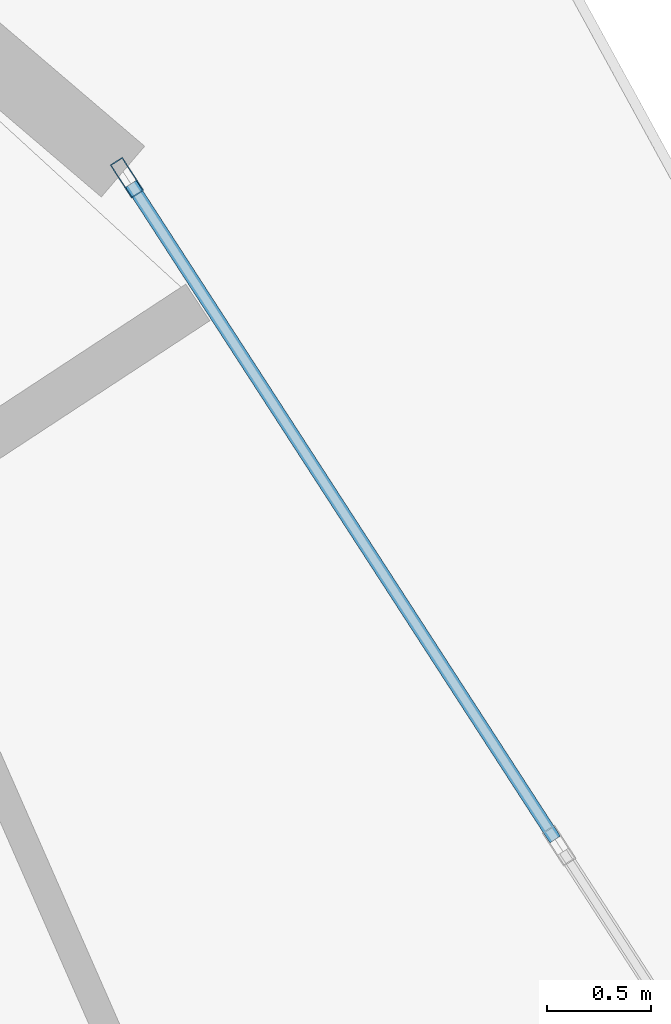
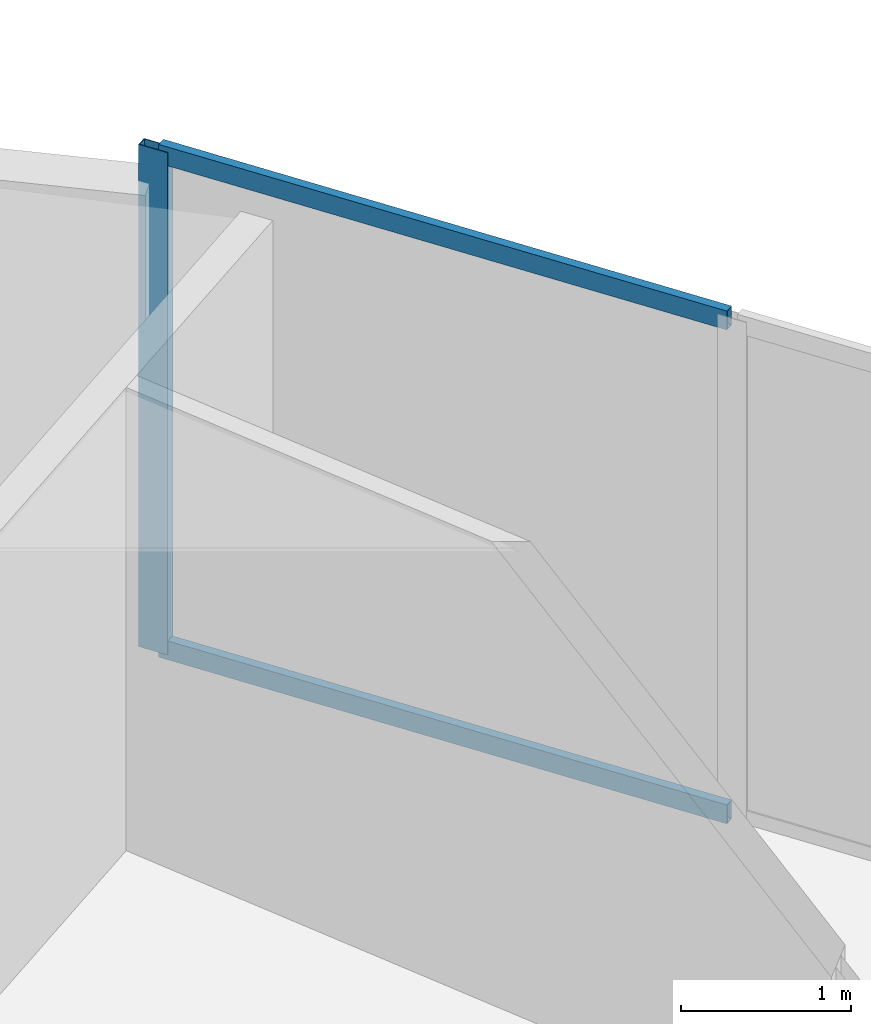
# One storey, part 19 of 26: 3 members, 1 element without a shape of its own.
"""IFC4 building model written with IfcOpenShell, lengths in metres."""

from ifc_helpers import new_model, si_unit, direction, frame, origin, origin_2d, place, context, subcontext, project, spatial, hollow_rectangle, extrude, source, transform, mapped, material, layer, layer_set, material_profile, profile_set, type_object, element, aggregate, save


model = new_model("IFC4")

# Units and contexts
model_context = context("Model", 3, precision=1e-05, world=origin(), true_north=direction((0.0, 1.0)))
body_context = subcontext(model_context, "Body", "Model", "MODEL_VIEW")
ifc_project = project(units=[si_unit("LENGTHUNIT", "METRE"), si_unit("AREAUNIT", "SQUARE_METRE"), si_unit("VOLUMEUNIT", "CUBIC_METRE"), si_unit("PLANEANGLEUNIT", "RADIAN"), si_unit("MASSUNIT", "GRAM", prefix="KILO")], contexts=[model_context])

# Site, building, storey
site_placement = place(None, origin())
site = spatial("IfcSite", under=ifc_project, at=site_placement, CompositionType="ELEMENT")
building_placement = place(site_placement, origin())
building = spatial("IfcBuilding", under=site, at=building_placement, Name="Solvirekh Grand Hotel", CompositionType="ELEMENT")
storey_placement = place(building_placement, frame((0.0, 0.0, 68.0)))
storey = spatial("IfcBuildingStorey", under=building, at=storey_placement, Name="L16", CompositionType="ELEMENT", Elevation=68.0)

# Curtain wall, members
ifc_material = material(Name="Anodized Bronze Aluminium 6063-T6", Category="aluminium")
ifc_layer = layer(ifc_material, 0.18994140625)
ifc_layer_set = layer_set([ifc_layer], Name="Anodized Bronze Aluminium 6063-T6")
curtain_wall_type = type_object("IfcCurtainWallType", Name="CW_Sys2_LowZoneFlushBronzeCW", PredefinedType="NOTDEFINED", material=ifc_layer_set)
curtain_wall_placement = place(storey_placement, origin())
curtain_wall = element("IfcCurtainWall", 1, at=curtain_wall_placement, inside=storey, type_object=curtain_wall_type, Name="L16 unitised bronze-glass curtain wall CW-L16-C03", PredefinedType="NOTDEFINED")
ifc_material_profile_1 = material_profile(ifc_material, hollow_rectangle(XDim=0.070068359375, YDim=0.18994140625, WallThickness=0.0048828125, at=origin_2d()), Name="ALU RHS 190X70X5")
ifc_profile_set_1 = profile_set([ifc_material_profile_1], Name="Anodized Bronze Aluminium 6063-T6")
member_type_1 = type_object("IfcMemberType", Name="CWMullion_Sys2", PredefinedType="MULLION", material=ifc_profile_set_1)
shared_shape_1 = source(origin(), body_context, "Body", "SweptSolid", [
    extrude(hollow_rectangle(XDim=0.070068359375, YDim=0.18994140625, WallThickness=0.0048828125, at=origin_2d()), origin(), (0.0, 0.0, 1.0), 3.60009765625),
])
member_1_placement = place(storey_placement, frame((19.446044921875, 12.022705078125, 0.0), z_axis=(0.0, 0.0, 1.0), x_axis=(-0.839559711127, -0.543267421675, 0.0)))
member_1 = element("IfcMember", 2, at=member_1_placement, type_object=member_type_1, Name="U02 mullion 3", PredefinedType="MULLION", context=body_context, shape_type="MappedRepresentation", body=[
    mapped(shared_shape_1, transform((0.0, 0.0, 0.0), x_axis=(1.0, 0.0, 0.0), y_axis=(0.0, 1.0, 0.0), z_axis=(0.0, 0.0, 1.0), scale=1.0)),
])
ifc_material_profile_2 = material_profile(ifc_material, hollow_rectangle(XDim=0.06005859375, YDim=0.135009765625, WallThickness=0.00390625, at=origin_2d()), Name="ALU RHS 135X60X4")
ifc_profile_set_2 = profile_set([ifc_material_profile_2], Name="Anodized Bronze Aluminium 6063-T6")
member_type_2 = type_object("IfcMemberType", Name="CWTransom_Sys2", PredefinedType="USERDEFINED", material=ifc_profile_set_2)
shared_shape_2 = source(origin(), body_context, "Body", "SweptSolid", [
    extrude(hollow_rectangle(XDim=0.06005859375, YDim=0.135009765625, WallThickness=0.00390625, at=origin_2d()), origin(), (0.0, 0.0, 1.0), 3.74755859375),
])
member_2_placement = place(storey_placement, frame((21.5009765625, 8.846923828125, 0.030029296875), z_axis=(-0.543267485557, 0.839559669789, 0.0), x_axis=(-0.839559669789, -0.543267485557, 0.0)))
member_2 = element("IfcMember", 3, at=member_2_placement, type_object=member_type_2, Name="U02 transom 2.1", ObjectType="TRANSOM", PredefinedType="USERDEFINED", context=body_context, shape_type="MappedRepresentation", body=[
    mapped(shared_shape_2, transform((0.0, 0.0, 0.0), x_axis=(1.0, 0.0, 0.0), y_axis=(0.0, 1.0, 0.0), z_axis=(0.0, 0.0, 1.0), scale=1.0)),
])
member_3_placement = place(storey_placement, frame((21.5009765625, 8.846923828125, 3.570068359375), z_axis=(-0.543267485557, 0.839559669789, 0.0), x_axis=(-0.839559669789, -0.543267485557, 0.0)))
member_3 = element("IfcMember", 4, at=member_3_placement, type_object=member_type_2, Name="U02 transom 2.2", ObjectType="TRANSOM", PredefinedType="USERDEFINED", context=body_context, shape_type="MappedRepresentation", body=[
    mapped(shared_shape_2, transform((0.0, 0.0, 0.0), x_axis=(1.0, 0.0, 0.0), y_axis=(0.0, 1.0, 0.0), z_axis=(0.0, 0.0, 1.0), scale=1.0)),
])
aggregate(curtain_wall, [member_1, member_2, member_3])

save(model, "model.ifc")
